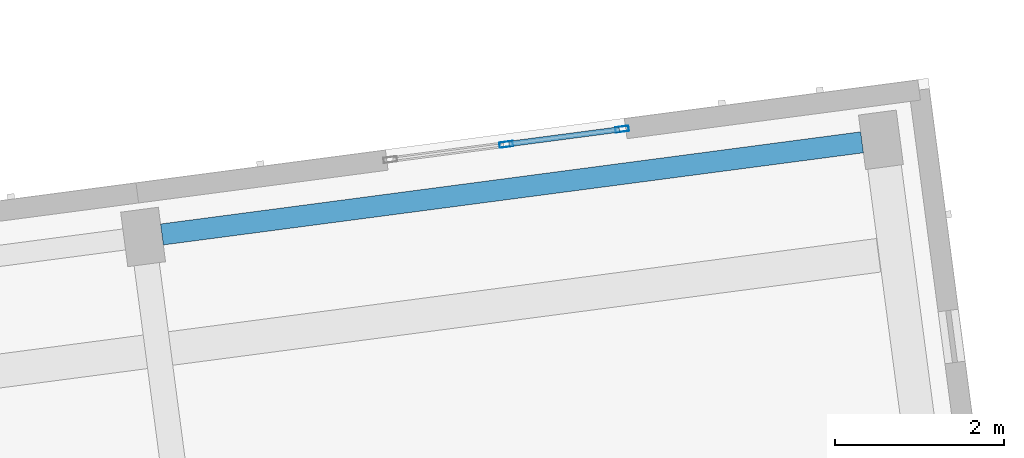
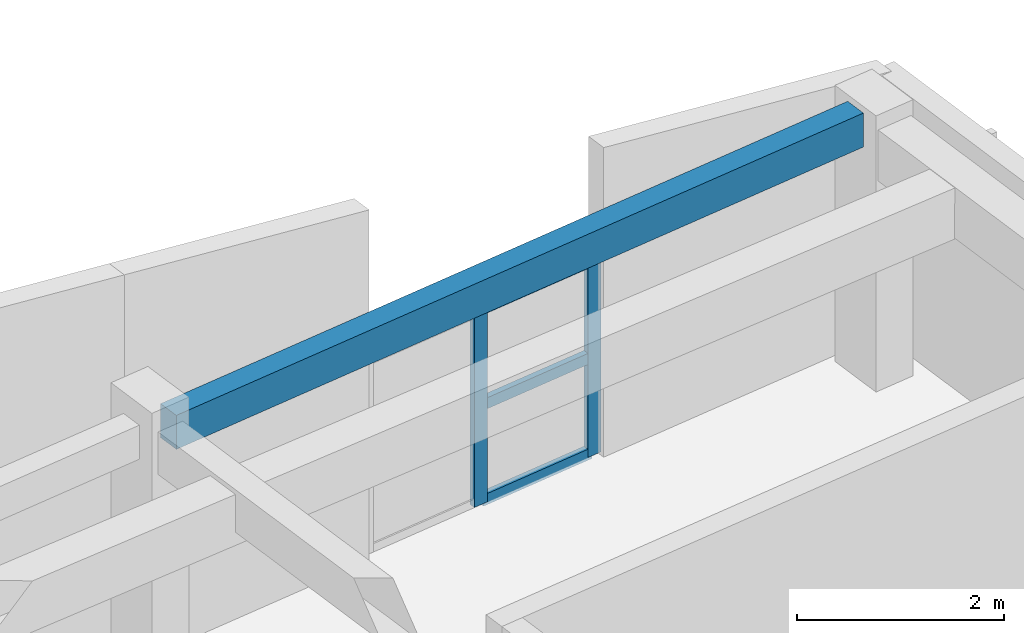
# One storey, part 3 of 10: 5 members, 1 beam, 1 element without a shape of its own.
"""IFC4 building model written with IfcOpenShell, lengths in metres."""

from ifc_helpers import new_model, si_unit, direction, frame, origin, origin_2d, place, context, subcontext, project, spatial, rectangle, hollow_rectangle, extrude, material, material_profile, profile_set, type_object, element, aggregate, save


model = new_model("IFC4")

# Units and contexts
model_context = context("Model", 3, precision=1e-05, world=origin(), true_north=direction((0.0, 1.0)))
body_context = subcontext(model_context, "Body", "Model", "MODEL_VIEW")
ifc_project = project(units=[si_unit("LENGTHUNIT", "METRE"), si_unit("AREAUNIT", "SQUARE_METRE"), si_unit("VOLUMEUNIT", "CUBIC_METRE"), si_unit("PLANEANGLEUNIT", "RADIAN"), si_unit("MASSUNIT", "GRAM", prefix="KILO")], contexts=[model_context])

# Site, building, storey
site_placement = place(None, origin())
site = spatial("IfcSite", under=ifc_project, at=site_placement, CompositionType="ELEMENT")
building_placement = place(site_placement, origin())
building = spatial("IfcBuilding", under=site, at=building_placement, Name="Kestramere Prow Commons", CompositionType="ELEMENT")
storey_placement = place(building_placement, frame((0.0, 0.0, 44.14990234375)))
storey = spatial("IfcBuildingStorey", under=building, at=storey_placement, Name="L13", CompositionType="ELEMENT", Elevation=44.14990234375)

# Curtain wall, members
ifc_material_1 = material(Name="Anodised Aluminium and Low-E Glass", Category="aluminium")
curtain_wall_type = type_object("IfcCurtainWallType", Name="CW-03 Glazed Curtain Wall 2830x2320", PredefinedType="USERDEFINED", material=ifc_material_1)
curtain_wall_placement = place(storey_placement, origin())
curtain_wall = element("IfcCurtainWall", 1, at=curtain_wall_placement, inside=storey, type_object=curtain_wall_type, Name="Block A L13 Stairwell Vertical Glazing 3", ObjectType="GLAZED CURTAIN WALL", PredefinedType="USERDEFINED")
ifc_material_2 = material(Name="Anodised Aluminium 6063-T6", Category="aluminium")
ifc_material_profile_1 = material_profile(ifc_material_2, hollow_rectangle(XDim=0.06494140625, YDim=0.159912109375, WallThickness=0.00390625, at=origin_2d()), Name="ALU-MUL 65x160")
ifc_profile_set_1 = profile_set([ifc_material_profile_1], Name="Anodised Aluminium 6063-T6")
member_type_1 = type_object("IfcMemberType", Name="CW-MUL-65x160", PredefinedType="MULLION", material=ifc_profile_set_1)
member_1_placement = place(storey_placement, frame((30.332763671875, 95.220947265625, 0.0), z_axis=(0.0, 0.0, 1.0), x_axis=(-0.130526494555, 0.991444821571, 0.0)))
member_1 = element("IfcMember", 2, at=member_1_placement, type_object=member_type_1, Name="CW-03 mullion 2", PredefinedType="MULLION", context=body_context, shape_type="SweptSolid", body=[
    extrude(hollow_rectangle(XDim=0.06494140625, YDim=0.159912109375, WallThickness=0.00390625, at=origin_2d()), origin(), (0.0, 0.0, 1.0), 2.320068359375),
])
member_2_placement = place(storey_placement, frame((31.703369140625, 95.4013671875, 0.0), z_axis=(0.0, 0.0, 1.0), x_axis=(-0.130526494555, 0.991444821571, 0.0)))
member_2 = element("IfcMember", 3, at=member_2_placement, type_object=member_type_1, Name="CW-03 mullion 3", PredefinedType="MULLION", context=body_context, shape_type="SweptSolid", body=[
    extrude(hollow_rectangle(XDim=0.06494140625, YDim=0.159912109375, WallThickness=0.00390625, at=origin_2d()), origin(), (0.0, 0.0, 1.0), 2.320068359375),
])
ifc_material_profile_2 = material_profile(ifc_material_2, hollow_rectangle(XDim=0.06494140625, YDim=0.1298828125, WallThickness=0.00390625, at=origin_2d()), Name="ALU-TRN 65x130")
ifc_profile_set_2 = profile_set([ifc_material_profile_2], Name="Anodised Aluminium 6063-T6")
member_type_2 = type_object("IfcMemberType", Name="CW-TRN-65x130", PredefinedType="USERDEFINED", material=ifc_profile_set_2)
member_3_placement = place(storey_placement, frame((30.364990234375, 95.225341796875, 0.03271484375), z_axis=(0.991453033969, 0.130464100171, 0.0), x_axis=(-0.130464100171, 0.991453033969, 0.0)))
member_3 = element("IfcMember", 4, at=member_3_placement, type_object=member_type_2, Name="CW-03 transom 2.1", ObjectType="TRANSOM", PredefinedType="USERDEFINED", context=body_context, shape_type="SweptSolid", body=[
    extrude(hollow_rectangle(XDim=0.06494140625, YDim=0.1298828125, WallThickness=0.00390625, at=origin_2d()), origin(), (0.0, 0.0, 1.0), 1.3173828125),
])
member_4_placement = place(storey_placement, frame((30.364990234375, 95.225341796875, 1.16015625), z_axis=(0.991453033969, 0.130464100171, 0.0), x_axis=(-0.130464100171, 0.991453033969, 0.0)))
member_4 = element("IfcMember", 5, at=member_4_placement, type_object=member_type_2, Name="CW-03 transom 2.2", ObjectType="TRANSOM", PredefinedType="USERDEFINED", context=body_context, shape_type="SweptSolid", body=[
    extrude(hollow_rectangle(XDim=0.06494140625, YDim=0.1298828125, WallThickness=0.00390625, at=origin_2d()), origin(), (0.0, 0.0, 1.0), 1.3173828125),
])
member_5_placement = place(storey_placement, frame((30.364990234375, 95.225341796875, 2.28759765625), z_axis=(0.991453033969, 0.130464100171, 0.0), x_axis=(-0.130464100171, 0.991453033969, 0.0)))
member_5 = element("IfcMember", 6, at=member_5_placement, type_object=member_type_2, Name="CW-03 transom 2.3", ObjectType="TRANSOM", PredefinedType="USERDEFINED", context=body_context, shape_type="SweptSolid", body=[
    extrude(hollow_rectangle(XDim=0.06494140625, YDim=0.1298828125, WallThickness=0.00390625, at=origin_2d()), origin(), (0.0, 0.0, 1.0), 1.3173828125),
])
aggregate(curtain_wall, [member_1, member_2, member_3, member_4, member_5])

# Beam
ifc_material_3 = material(Name="Precast concrete C40/50", Category="concrete")
ifc_material_profile_3 = material_profile(ifc_material_3, rectangle(XDim=0.25, YDim=0.39990234375, at=origin_2d()), Name="PC-SP 250x400")
ifc_profile_set_3 = profile_set([ifc_material_profile_3], Name="Precast concrete C40/50")
beam_type = type_object("IfcBeamType", Name="SP-EXT-01 PC-SP 250x400", PredefinedType="SPANDREL", material=ifc_profile_set_3)
beam_placement = place(storey_placement, frame((26.261962890625, 94.155517578125, 2.97314453125), z_axis=(0.991445635283, 0.13052031366, 0.0), x_axis=(-0.13052031366, 0.991445635283, 0.0)))
element("IfcBeam", 7, at=beam_placement, inside=storey, type_object=beam_type, Name="Block A L13 Longitudinal Beam 4-3", PredefinedType="SPANDREL", context=body_context, shape_type="SweptSolid", body=[
    extrude(rectangle(XDim=0.25, YDim=0.39990234375, at=origin_2d()), origin(), (0.0, 0.0, 1.0), 8.35009765625),
])

save(model, "model.ifc")
